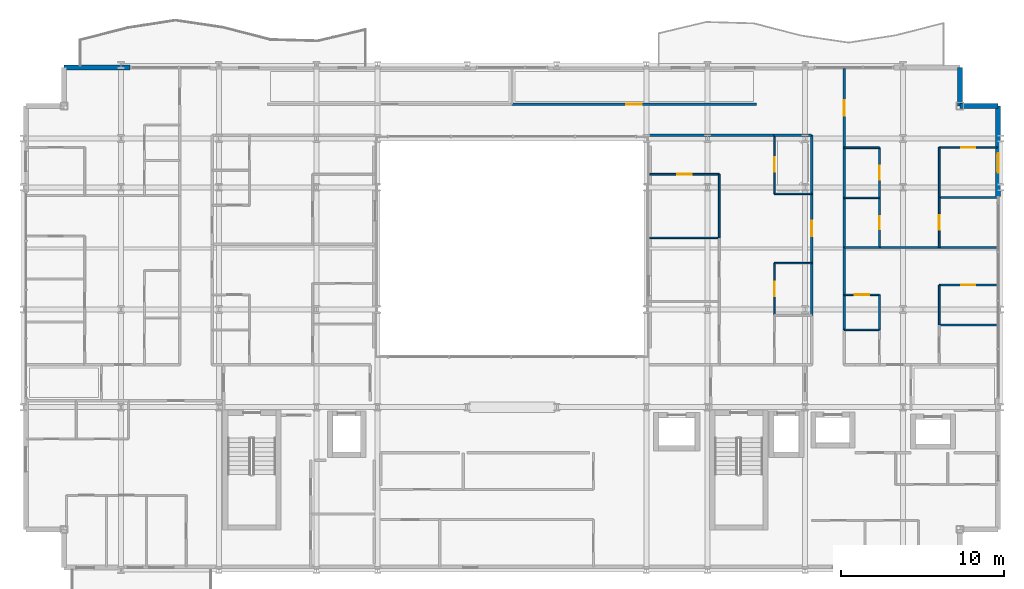
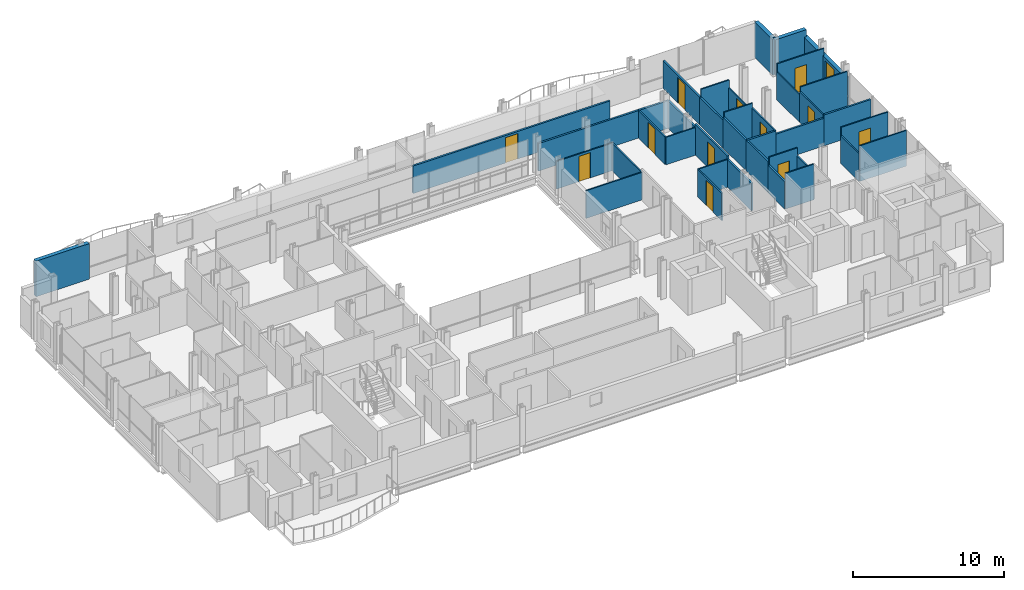
# One storey, part 36 of 41: 39 walls, 12 doors, 1 window, 13 openings.
"""IFC4 building model written with IfcOpenShell, lengths in metres."""

from ifc_helpers import new_model, si_unit, direction, frame, frame_2d, origin, place, context, subcontext, project, spatial, rectangle, extrude, material, layer, layer_set, type_object, element, fill, save


model = new_model("IFC4")

# Units and contexts
model_context = context("Model", 3, precision=1e-05, world=origin(), true_north=direction((0.0, 1.0)))
body_context = subcontext(model_context, "Body", "Model", "MODEL_VIEW")
ifc_project = project(units=[si_unit("LENGTHUNIT", "METRE"), si_unit("AREAUNIT", "SQUARE_METRE"), si_unit("VOLUMEUNIT", "CUBIC_METRE"), si_unit("PLANEANGLEUNIT", "RADIAN"), si_unit("MASSUNIT", "GRAM", prefix="KILO")], contexts=[model_context])

# Site, building, storey
site_placement = place(None, origin())
site = spatial("IfcSite", under=ifc_project, at=site_placement, CompositionType="ELEMENT")
building_placement = place(site_placement, origin())
building = spatial("IfcBuilding", under=site, at=building_placement, Name="Brevholm Reach", CompositionType="ELEMENT")
storey_placement = place(building_placement, frame((0.0, 0.0, 43.5)))
storey = spatial("IfcBuildingStorey", under=building, at=storey_placement, Name="L11", CompositionType="ELEMENT", Elevation=43.5)

# Walls
ifc_material_1 = material(Name="Concrete C40/50", Category="concrete")
ifc_layer_1 = layer(ifc_material_1, 0.300048828125)
ifc_layer_set_1 = layer_set([ifc_layer_1], Name="Concrete C40/50")
wall_type_1 = type_object("IfcWallType", Name="WAL-EXT-300", PredefinedType="STANDARD", material=ifc_layer_set_1)
for number, where, z_axis, x_axis, name in (
    (1, (59.85009765625, 28.5, 0.0), (0.0, 0.0, 1.0), (-1.0, 0.0, 0.0), "L11 Facade Wall WAL-L11-CNE1"),
    (2, (57.5, 28.5, 0.0), (0.0, 0.0, 1.0), (0.0, 1.0, 0.0), "L11 Facade Wall WAL-L11-CNE2"),
):
    element("IfcWall", number, at=place(storey_placement, frame(where, z_axis=z_axis, x_axis=x_axis)), inside=storey, type_object=wall_type_1, Name=name, PredefinedType="STANDARD", context=body_context, shape_type="SweptSolid", body=[
        extrude(rectangle(XDim=2.35009765625, YDim=0.300048828125, at=frame_2d((1.175048828125, 0.0))), origin(), (0.0, 0.0, 1.0), 2.8701171875),
    ])

# Wall, opening, window
wall_1_placement = place(storey_placement, frame((59.85009765625, 22.949951171875, 0.0), z_axis=(0.0, 0.0, 1.0), x_axis=(0.0, 1.0, 0.0)))
wall_1 = element("IfcWall", 3, at=wall_1_placement, inside=storey, type_object=wall_type_1, Name="L11 Facade Wall WAL-L11-E-N", PredefinedType="STANDARD", context=body_context, shape_type="SweptSolid", body=[
    extrude(rectangle(XDim=5.550048828125, YDim=0.300048828125, at=frame_2d((2.77490234375, 0.0))), origin(), (0.0, 0.0, 1.0), 2.305419921875),
])
opening_1_placement = place(wall_1_placement, frame((1.449951171875, 0.0, 0.486083984375)))
opening_1 = element("IfcOpeningElement", 4, at=opening_1_placement, cuts=wall_1, Name="Opening WN-08", PredefinedType="OPENING", context=body_context, shape_type="SweptSolid", body=[
    extrude(rectangle(XDim=1.199951171875, YDim=1.60009765625, at=frame_2d((0.60009765625, 0.800048828125))), frame((0.0, 0.159912109375, 0.0), z_axis=(0.0, -1.0, 0.0), x_axis=(1.0, 0.0, 0.0)), (0.0, 0.0, 1.0), 0.320068359375),
])
ifc_material_2 = material(Name="Dark Anodised Aluminium and Solar-Control IGU Glass", Category="aluminium")
window_type = type_object("IfcWindowType", Name="WIN-RES-1200", PartitioningType="SINGLE_PANEL", PredefinedType="WINDOW", material=ifc_material_2)
window_placement = place(opening_1_placement, origin())
window = element("IfcWindow", 5, at=window_placement, inside=storey, type_object=window_type, Name="L11 Window WIN-L11-EN-1", OverallHeight=1.60009765625, OverallWidth=1.199951171875, PartitioningType="SINGLE_PANEL", PredefinedType="WINDOW", context=body_context, shape_type="SweptSolid", body=[
    extrude(rectangle(XDim=1.199951171875, YDim=1.60009765625, at=frame_2d((0.60009765625, 0.800048828125))), frame((0.0, 0.030029296875, 0.0), z_axis=(0.0, -1.0, 0.0), x_axis=(1.0, 0.0, 0.0)), (0.0, 0.0, 1.0), 0.06005859375),
])
fill(opening_1, window)

# Walls
wall_2_placement = place(storey_placement, frame((2.5, 30.85009765625, 0.0), z_axis=(0.0, 0.0, 1.0), x_axis=(1.0, 0.0, 0.0)))
element("IfcWall", 6, at=wall_2_placement, inside=storey, type_object=wall_type_1, Name="L11 Facade Wall WAL-L11-NP-W0", PredefinedType="STANDARD", context=body_context, shape_type="SweptSolid", body=[
    extrude(rectangle(XDim=4.050048828125, YDim=0.300048828125, at=frame_2d((2.02490234375, 0.0))), origin(), (0.0, 0.0, 1.0), 2.8701171875),
])
ifc_material_3 = material(Name="Moisture-Resistant Acoustic Gypsum Stud Partition 100 mm", Category="gypsum")
ifc_layer_2 = layer(ifc_material_3, 0.10009765625)
ifc_layer_set_2 = layer_set([ifc_layer_2], Name="Moisture-Resistant Acoustic Gypsum Stud Partition 100 mm")
wall_type_2 = type_object("IfcWallType", Name="WAL-PRT-100", PredefinedType="PARTITIONING", material=ifc_layer_set_2)
wall_3_placement = place(storey_placement, frame((46.112060546875, 18.85009765625, 0.0), z_axis=(0.0, 0.0, 1.0), x_axis=(1.0, 0.0, 0.0)))
element("IfcWall", 7, at=wall_3_placement, inside=storey, type_object=wall_type_2, Name="L11 Internal Partition 130", PredefinedType="PARTITIONING", context=body_context, shape_type="SweptSolid", body=[
    extrude(rectangle(XDim=2.283935546875, YDim=0.10009765625, at=frame_2d((1.14208984375, 0.0))), origin(), (0.0, 0.0, 1.0), 2.224853515625),
])

# Wall, opening, door
wall_4_placement = place(storey_placement, frame((46.112060546875, 15.654052734375, 0.0), z_axis=(0.0, 0.0, 1.0), x_axis=(0.0, 1.0, 0.0)))
wall_4 = element("IfcWall", 8, at=wall_4_placement, inside=storey, type_object=wall_type_2, Name="L11 Internal Partition 131", PredefinedType="PARTITIONING", context=body_context, shape_type="SweptSolid", body=[
    extrude(rectangle(XDim=3.196044921875, YDim=0.10009765625, at=frame_2d((1.59814453125, 0.0))), origin(), (0.0, 0.0, 1.0), 2.224853515625),
])
opening_2_placement = place(wall_4_placement, frame((1.157958984375, 0.0, 0.0)))
opening_2 = element("IfcOpeningElement", 9, at=opening_2_placement, cuts=wall_4, Name="Opening ID-01", PredefinedType="OPENING", context=body_context, shape_type="SweptSolid", body=[
    extrude(rectangle(XDim=0.8798828125, YDim=2.0400390625, at=frame_2d((0.43994140625, 1.02001953125))), frame((0.0, 0.06005859375, 0.0), z_axis=(0.0, -1.0, 0.0), x_axis=(1.0, 0.0, 0.0)), (0.0, 0.0, 1.0), 0.1201171875),
])
ifc_material_4 = material(Name="Lacquered Ash Solid-Core Acoustic Internal Door", Category="timber")
door_type_1 = type_object("IfcDoorType", Name="DOR-INT-880", OperationType="NOTDEFINED", PredefinedType="DOOR", material=ifc_material_4)
door_1_placement = place(opening_2_placement, origin())
door_1 = element("IfcDoor", 10, at=door_1_placement, inside=storey, type_object=door_type_1, Name="L11 Internal Door 050", OperationType="SINGLE_SWING_LEFT", OverallHeight=2.0400390625, OverallWidth=0.8798828125, PredefinedType="DOOR", context=body_context, shape_type="SweptSolid", body=[
    extrude(rectangle(XDim=0.8798828125, YDim=2.0400390625, at=frame_2d((0.43994140625, 1.02001953125))), frame((0.0, 0.02490234375, 0.0), z_axis=(0.0, -1.0, 0.0), x_axis=(1.0, 0.0, 0.0)), (0.0, 0.0, 1.0), 0.050048828125),
])
fill(opening_2, door_1)

# Wall
wall_5_placement = place(storey_placement, frame((46.112060546875, 23.10009765625, 0.0), z_axis=(0.0, 0.0, 1.0), x_axis=(1.0, 0.0, 0.0)))
element("IfcWall", 11, at=wall_5_placement, inside=storey, type_object=wall_type_2, Name="L11 Internal Partition 132", PredefinedType="PARTITIONING", context=body_context, shape_type="SweptSolid", body=[
    extrude(rectangle(XDim=2.283935546875, YDim=0.10009765625, at=frame_2d((1.14208984375, 0.0))), origin(), (0.0, 0.0, 1.0), 2.224853515625),
])

# Wall, opening, door
wall_6_placement = place(storey_placement, frame((46.112060546875, 23.10009765625, 0.0), z_axis=(0.0, 0.0, 1.0), x_axis=(0.0, 1.0, 0.0)))
wall_6 = element("IfcWall", 12, at=wall_6_placement, inside=storey, type_object=wall_type_2, Name="L11 Internal Partition 133", PredefinedType="PARTITIONING", context=body_context, shape_type="SweptSolid", body=[
    extrude(rectangle(XDim=3.595947265625, YDim=0.10009765625, at=frame_2d((1.7978515625, 0.0))), origin(), (0.0, 0.0, 1.0), 2.224853515625),
])
opening_3_placement = place(wall_6_placement, frame((1.35791015625, 0.0, 0.0)))
opening_3 = element("IfcOpeningElement", 13, at=opening_3_placement, cuts=wall_6, Name="Opening ID-01", PredefinedType="OPENING", context=body_context, shape_type="SweptSolid", body=[
    extrude(rectangle(XDim=0.8798828125, YDim=2.0400390625, at=frame_2d((0.43994140625, 1.02001953125))), frame((0.0, 0.06005859375, 0.0), z_axis=(0.0, -1.0, 0.0), x_axis=(1.0, 0.0, 0.0)), (0.0, 0.0, 1.0), 0.1201171875),
])
door_2_placement = place(opening_3_placement, origin())
door_2 = element("IfcDoor", 14, at=door_2_placement, inside=storey, type_object=door_type_1, Name="L11 Internal Door 051", OperationType="SINGLE_SWING_RIGHT", OverallHeight=2.0400390625, OverallWidth=0.8798828125, PredefinedType="DOOR", context=body_context, shape_type="SweptSolid", body=[
    extrude(rectangle(XDim=0.8798828125, YDim=2.0400390625, at=frame_2d((0.43994140625, 1.02001953125))), frame((0.0, 0.02490234375, 0.0), z_axis=(0.0, -1.0, 0.0), x_axis=(1.0, 0.0, 0.0)), (0.0, 0.0, 1.0), 0.050048828125),
])
fill(opening_3, door_2)

# Walls
wall_7_placement = place(storey_placement, frame((38.449951171875, 20.39990234375, 0.0), z_axis=(0.0, 0.0, 1.0), x_axis=(1.0, 0.0, 0.0)))
element("IfcWall", 15, at=wall_7_placement, inside=storey, type_object=wall_type_2, Name="L11 Internal Partition 136", PredefinedType="PARTITIONING", context=body_context, shape_type="SweptSolid", body=[
    extrude(rectangle(XDim=4.278076171875, YDim=0.10009765625, at=frame_2d((2.13916015625, 0.0))), origin(), (0.0, 0.0, 1.0), 2.224853515625),
])
wall_8_placement = place(storey_placement, frame((42.72802734375, 20.404052734375, 0.0), z_axis=(0.0, 0.0, 1.0), x_axis=(0.0, 1.0, 0.0)))
element("IfcWall", 16, at=wall_8_placement, inside=storey, type_object=wall_type_2, Name="L11 Internal Partition 138", PredefinedType="PARTITIONING", context=body_context, shape_type="SweptSolid", body=[
    extrude(rectangle(XDim=3.89599609375, YDim=0.10009765625, at=frame_2d((1.947998046875, 0.0))), origin(), (0.0, 0.0, 1.0), 2.224853515625),
])

# Wall, opening, door
wall_9_placement = place(storey_placement, frame((38.449951171875, 24.300048828125, 0.0), z_axis=(0.0, 0.0, 1.0), x_axis=(1.0, 0.0, 0.0)))
wall_9 = element("IfcWall", 17, at=wall_9_placement, inside=storey, type_object=wall_type_2, Name="L11 Internal Partition 139", PredefinedType="PARTITIONING", context=body_context, shape_type="SweptSolid", body=[
    extrude(rectangle(XDim=4.278076171875, YDim=0.10009765625, at=frame_2d((2.13916015625, 0.0))), origin(), (0.0, 0.0, 1.0), 2.224853515625),
])
opening_4_placement = place(wall_9_placement, frame((1.698974609375, 0.0, 0.0)))
opening_4 = element("IfcOpeningElement", 18, at=opening_4_placement, cuts=wall_9, Name="Opening ID-01", PredefinedType="OPENING", context=body_context, shape_type="SweptSolid", body=[
    extrude(rectangle(XDim=0.8798828125, YDim=2.0400390625, at=frame_2d((0.43994140625, 1.02001953125))), frame((0.0, 0.06005859375, 0.0), z_axis=(0.0, -1.0, 0.0), x_axis=(1.0, 0.0, 0.0)), (0.0, 0.0, 1.0), 0.1201171875),
])
door_3_placement = place(opening_4_placement, origin())
door_3 = element("IfcDoor", 19, at=door_3_placement, inside=storey, type_object=door_type_1, Name="L11 Internal Door 054", OperationType="SINGLE_SWING_LEFT", OverallHeight=2.0400390625, OverallWidth=0.8798828125, PredefinedType="DOOR", context=body_context, shape_type="SweptSolid", body=[
    extrude(rectangle(XDim=0.8798828125, YDim=2.0400390625, at=frame_2d((0.43994140625, 1.02001953125))), frame((0.0, 0.02490234375, 0.0), z_axis=(0.0, -1.0, 0.0), x_axis=(1.0, 0.0, 0.0)), (0.0, 0.0, 1.0), 0.050048828125),
])
fill(opening_4, door_3)

# Walls
wall_10_placement = place(storey_placement, frame((50.404052734375, 14.75, 0.0), z_axis=(0.0, 0.0, 1.0), x_axis=(1.0, 0.0, 0.0)))
element("IfcWall", 20, at=wall_10_placement, inside=storey, type_object=wall_type_2, Name="L11 Internal Partition 140", PredefinedType="PARTITIONING", context=body_context, shape_type="SweptSolid", body=[
    extrude(rectangle(XDim=2.157958984375, YDim=0.10009765625, at=frame_2d((1.0791015625, 0.0))), origin(), (0.0, 0.0, 1.0), 2.8701171875),
])
wall_11_placement = place(storey_placement, frame((52.56201171875, 14.75390625, 0.0), z_axis=(0.0, 0.0, 1.0), x_axis=(0.0, 1.0, 0.0)))
element("IfcWall", 21, at=wall_11_placement, inside=storey, type_object=wall_type_2, Name="L11 Internal Partition 142", PredefinedType="PARTITIONING", context=body_context, shape_type="SweptSolid", body=[
    extrude(rectangle(XDim=2.14599609375, YDim=0.10009765625, at=frame_2d((1.072998046875, 0.0))), origin(), (0.0, 0.0, 1.0), 2.224853515625),
])

# Wall, opening, door
wall_12_placement = place(storey_placement, frame((50.404052734375, 16.89990234375, 0.0), z_axis=(0.0, 0.0, 1.0), x_axis=(1.0, 0.0, 0.0)))
wall_12 = element("IfcWall", 22, at=wall_12_placement, inside=storey, type_object=wall_type_2, Name="L11 Internal Partition 143", PredefinedType="PARTITIONING", context=body_context, shape_type="SweptSolid", body=[
    extrude(rectangle(XDim=2.157958984375, YDim=0.10009765625, at=frame_2d((1.0791015625, 0.0))), origin(), (0.0, 0.0, 1.0), 2.8701171875),
])
opening_5_placement = place(wall_12_placement, frame((0.638916015625, 0.0, 0.0)))
opening_5 = element("IfcOpeningElement", 23, at=opening_5_placement, cuts=wall_12, Name="Opening ID-01", PredefinedType="OPENING", context=body_context, shape_type="SweptSolid", body=[
    extrude(rectangle(XDim=0.8798828125, YDim=2.0400390625, at=frame_2d((0.43994140625, 1.02001953125))), frame((0.0, 0.06005859375, 0.0), z_axis=(0.0, -1.0, 0.0), x_axis=(1.0, 0.0, 0.0)), (0.0, 0.0, 1.0), 0.1201171875),
])
door_4_placement = place(opening_5_placement, origin())
door_4 = element("IfcDoor", 24, at=door_4_placement, inside=storey, type_object=door_type_1, Name="L11 Internal Door 056", OperationType="SINGLE_SWING_LEFT", OverallHeight=2.0400390625, OverallWidth=0.8798828125, PredefinedType="DOOR", context=body_context, shape_type="SweptSolid", body=[
    extrude(rectangle(XDim=0.8798828125, YDim=2.0400390625, at=frame_2d((0.43994140625, 1.02001953125))), frame((0.0, 0.02490234375, 0.0), z_axis=(0.0, -1.0, 0.0), x_axis=(1.0, 0.0, 0.0)), (0.0, 0.0, 1.0), 0.050048828125),
])
fill(opening_5, door_4)

# Wall
wall_13_placement = place(storey_placement, frame((56.22802734375, 15.050048828125, 0.0), z_axis=(0.0, 0.0, 1.0), x_axis=(1.0, 0.0, 0.0)))
element("IfcWall", 25, at=wall_13_placement, inside=storey, type_object=wall_type_2, Name="L11 Internal Partition 144", PredefinedType="PARTITIONING", context=body_context, shape_type="SweptSolid", body=[
    extrude(rectangle(XDim=3.572021484375, YDim=0.10009765625, at=frame_2d((1.7861328125, 0.0))), origin(), (0.0, 0.0, 1.0), 2.8701171875),
])

# Wall, opening, door
wall_14_placement = place(storey_placement, frame((56.22802734375, 17.5, 0.0), z_axis=(0.0, 0.0, 1.0), x_axis=(1.0, 0.0, 0.0)))
wall_14 = element("IfcWall", 26, at=wall_14_placement, inside=storey, type_object=wall_type_2, Name="L11 Internal Partition 146", PredefinedType="PARTITIONING", context=body_context, shape_type="SweptSolid", body=[
    extrude(rectangle(XDim=3.572021484375, YDim=0.10009765625, at=frame_2d((1.7861328125, 0.0))), origin(), (0.0, 0.0, 1.0), 2.8701171875),
])
opening_6_placement = place(wall_14_placement, frame((1.345947265625, 0.0, 0.0)))
opening_6 = element("IfcOpeningElement", 27, at=opening_6_placement, cuts=wall_14, Name="Opening ID-01", PredefinedType="OPENING", context=body_context, shape_type="SweptSolid", body=[
    extrude(rectangle(XDim=0.8798828125, YDim=2.0400390625, at=frame_2d((0.43994140625, 1.02001953125))), frame((0.0, 0.06005859375, 0.0), z_axis=(0.0, -1.0, 0.0), x_axis=(1.0, 0.0, 0.0)), (0.0, 0.0, 1.0), 0.1201171875),
])
door_5_placement = place(opening_6_placement, origin())
door_5 = element("IfcDoor", 28, at=door_5_placement, inside=storey, type_object=door_type_1, Name="L11 Internal Door 058", OperationType="SINGLE_SWING_LEFT", OverallHeight=2.0400390625, OverallWidth=0.8798828125, PredefinedType="DOOR", context=body_context, shape_type="SweptSolid", body=[
    extrude(rectangle(XDim=0.8798828125, YDim=2.0400390625, at=frame_2d((0.43994140625, 1.02001953125))), frame((0.0, 0.02490234375, 0.0), z_axis=(0.0, -1.0, 0.0), x_axis=(1.0, 0.0, 0.0)), (0.0, 0.0, 1.0), 0.050048828125),
])
fill(opening_6, door_5)

# Walls
wall_15_placement = place(storey_placement, frame((56.22802734375, 15.053955078125, 0.0), z_axis=(0.0, 0.0, 1.0), x_axis=(0.0, 1.0, 0.0)))
element("IfcWall", 29, at=wall_15_placement, inside=storey, type_object=wall_type_2, Name="L11 Internal Partition 147", PredefinedType="PARTITIONING", context=body_context, shape_type="SweptSolid", body=[
    extrude(rectangle(XDim=2.446044921875, YDim=0.10009765625, at=frame_2d((1.22314453125, 0.0))), origin(), (0.0, 0.0, 1.0), 2.224853515625),
])
wall_16_placement = place(storey_placement, frame((50.404052734375, 22.85009765625, 0.0), z_axis=(0.0, 0.0, 1.0), x_axis=(1.0, 0.0, 0.0)))
element("IfcWall", 30, at=wall_16_placement, inside=storey, type_object=wall_type_2, Name="L11 Internal Partition 151", PredefinedType="PARTITIONING", context=body_context, shape_type="SweptSolid", body=[
    extrude(rectangle(XDim=2.157958984375, YDim=0.10009765625, at=frame_2d((1.0791015625, 0.0))), origin(), (0.0, 0.0, 1.0), 2.8701171875),
])

# Wall, opening, door
wall_17_placement = place(storey_placement, frame((52.56201171875, 19.803955078125, 0.0), z_axis=(0.0, 0.0, 1.0), x_axis=(0.0, 1.0, 0.0)))
wall_17 = element("IfcWall", 31, at=wall_17_placement, inside=storey, type_object=wall_type_2, Name="L11 Internal Partition 152", PredefinedType="PARTITIONING", context=body_context, shape_type="SweptSolid", body=[
    extrude(rectangle(XDim=3.046142578125, YDim=0.10009765625, at=frame_2d((1.52294921875, 0.0))), origin(), (0.0, 0.0, 1.0), 2.489990234375),
])
opening_7_placement = place(wall_17_placement, frame((1.113037109375, 0.0, 0.0)))
opening_7 = element("IfcOpeningElement", 32, at=opening_7_placement, cuts=wall_17, Name="Opening ID-03", PredefinedType="OPENING", context=body_context, shape_type="SweptSolid", body=[
    extrude(rectangle(XDim=0.820068359375, YDim=2.02001953125, at=frame_2d((0.41015625, 1.010009765625))), frame((0.0, 0.06005859375, 0.0), z_axis=(0.0, -1.0, 0.0), x_axis=(1.0, 0.0, 0.0)), (0.0, 0.0, 1.0), 0.1201171875),
])
ifc_material_5 = material(Name="Moisture-Resistant Painted Timber Internal Bathroom Door", Category="wood")
door_type_2 = type_object("IfcDoorType", Name="DOR-BATH-820", OperationType="NOTDEFINED", PredefinedType="DOOR", material=ifc_material_5)
door_6_placement = place(opening_7_placement, origin())
door_6 = element("IfcDoor", 33, at=door_6_placement, inside=storey, type_object=door_type_2, Name="L11 Internal Door 059", OperationType="SINGLE_SWING_RIGHT", OverallHeight=2.02001953125, OverallWidth=0.820068359375, PredefinedType="DOOR", context=body_context, shape_type="SweptSolid", body=[
    extrude(rectangle(XDim=0.820068359375, YDim=2.02001953125, at=frame_2d((0.41015625, 1.010009765625))), frame((0.0, 0.02490234375, 0.0), z_axis=(0.0, -1.0, 0.0), x_axis=(1.0, 0.0, 0.0)), (0.0, 0.0, 1.0), 0.050048828125),
])
fill(opening_7, door_6)

wall_18_placement = place(storey_placement, frame((52.56201171875, 22.85400390625, 0.0), z_axis=(0.0, 0.0, 1.0), x_axis=(0.0, 1.0, 0.0)))
wall_18 = element("IfcWall", 34, at=wall_18_placement, inside=storey, type_object=wall_type_2, Name="L11 Internal Partition 153", PredefinedType="PARTITIONING", context=body_context, shape_type="SweptSolid", body=[
    extrude(rectangle(XDim=3.075927734375, YDim=0.10009765625, at=frame_2d((1.5380859375, 0.0))), origin(), (0.0, 0.0, 1.0), 2.224853515625),
])
opening_8_placement = place(wall_18_placement, frame((1.097900390625, 0.0, 0.0)))
opening_8 = element("IfcOpeningElement", 35, at=opening_8_placement, cuts=wall_18, Name="Opening ID-01", PredefinedType="OPENING", context=body_context, shape_type="SweptSolid", body=[
    extrude(rectangle(XDim=0.8798828125, YDim=2.0400390625, at=frame_2d((0.43994140625, 1.02001953125))), frame((0.0, 0.06005859375, 0.0), z_axis=(0.0, -1.0, 0.0), x_axis=(1.0, 0.0, 0.0)), (0.0, 0.0, 1.0), 0.1201171875),
])
door_7_placement = place(opening_8_placement, origin())
door_7 = element("IfcDoor", 36, at=door_7_placement, inside=storey, type_object=door_type_1, Name="L11 Internal Door 060", OperationType="SINGLE_SWING_LEFT", OverallHeight=2.0400390625, OverallWidth=0.8798828125, PredefinedType="DOOR", context=body_context, shape_type="SweptSolid", body=[
    extrude(rectangle(XDim=0.8798828125, YDim=2.0400390625, at=frame_2d((0.43994140625, 1.02001953125))), frame((0.0, 0.02490234375, 0.0), z_axis=(0.0, -1.0, 0.0), x_axis=(1.0, 0.0, 0.0)), (0.0, 0.0, 1.0), 0.050048828125),
])
fill(opening_8, door_7)

# Walls
wall_19_placement = place(storey_placement, frame((50.404052734375, 25.929931640625, 0.0), z_axis=(0.0, 0.0, 1.0), x_axis=(1.0, 0.0, 0.0)))
element("IfcWall", 37, at=wall_19_placement, inside=storey, type_object=wall_type_2, Name="L11 Internal Partition 154", PredefinedType="PARTITIONING", context=body_context, shape_type="SweptSolid", body=[
    extrude(rectangle(XDim=2.157958984375, YDim=0.10009765625, at=frame_2d((1.0791015625, 0.0))), origin(), (0.0, 0.0, 1.0), 2.8701171875),
])
wall_20_placement = place(storey_placement, frame((56.22802734375, 22.875, 0.0), z_axis=(0.0, 0.0, 1.0), x_axis=(1.0, 0.0, 0.0)))
element("IfcWall", 38, at=wall_20_placement, inside=storey, type_object=wall_type_2, Name="L11 Internal Partition 155", PredefinedType="PARTITIONING", context=body_context, shape_type="SweptSolid", body=[
    extrude(rectangle(XDim=3.572021484375, YDim=0.10009765625, at=frame_2d((1.7861328125, 0.0))), origin(), (0.0, 0.0, 1.0), 2.8701171875),
])

# Wall, opening, door
wall_21_placement = place(storey_placement, frame((56.22802734375, 19.803955078125, 0.0), z_axis=(0.0, 0.0, 1.0), x_axis=(0.0, 1.0, 0.0)))
wall_21 = element("IfcWall", 39, at=wall_21_placement, inside=storey, type_object=wall_type_2, Name="L11 Internal Partition 156", PredefinedType="PARTITIONING", context=body_context, shape_type="SweptSolid", body=[
    extrude(rectangle(XDim=3.071044921875, YDim=0.10009765625, at=frame_2d((1.53564453125, 0.0))), origin(), (0.0, 0.0, 1.0), 2.489990234375),
])
opening_9_placement = place(wall_21_placement, frame((1.095458984375, 0.0, 0.0)))
opening_9 = element("IfcOpeningElement", 40, at=opening_9_placement, cuts=wall_21, Name="Opening ID-01", PredefinedType="OPENING", context=body_context, shape_type="SweptSolid", body=[
    extrude(rectangle(XDim=0.8798828125, YDim=2.0400390625, at=frame_2d((0.43994140625, 1.02001953125))), frame((0.0, 0.06005859375, 0.0), z_axis=(0.0, -1.0, 0.0), x_axis=(1.0, 0.0, 0.0)), (0.0, 0.0, 1.0), 0.1201171875),
])
door_8_placement = place(opening_9_placement, origin())
door_8 = element("IfcDoor", 41, at=door_8_placement, inside=storey, type_object=door_type_1, Name="L11 Internal Door 061", OperationType="SINGLE_SWING_RIGHT", OverallHeight=2.0400390625, OverallWidth=0.8798828125, PredefinedType="DOOR", context=body_context, shape_type="SweptSolid", body=[
    extrude(rectangle(XDim=0.8798828125, YDim=2.0400390625, at=frame_2d((0.43994140625, 1.02001953125))), frame((0.0, 0.02490234375, 0.0), z_axis=(0.0, -1.0, 0.0), x_axis=(1.0, 0.0, 0.0)), (0.0, 0.0, 1.0), 0.050048828125),
])
fill(opening_9, door_8)

wall_22_placement = place(storey_placement, frame((56.22802734375, 25.949951171875, 0.0), z_axis=(0.0, 0.0, 1.0), x_axis=(1.0, 0.0, 0.0)))
wall_22 = element("IfcWall", 42, at=wall_22_placement, inside=storey, type_object=wall_type_2, Name="L11 Internal Partition 157", PredefinedType="PARTITIONING", context=body_context, shape_type="SweptSolid", body=[
    extrude(rectangle(XDim=3.572021484375, YDim=0.10009765625, at=frame_2d((1.7861328125, 0.0))), origin(), (0.0, 0.0, 1.0), 2.8701171875),
])
opening_10_placement = place(wall_22_placement, frame((1.345947265625, 0.0, 0.0)))
opening_10 = element("IfcOpeningElement", 43, at=opening_10_placement, cuts=wall_22, Name="Opening ID-01", PredefinedType="OPENING", context=body_context, shape_type="SweptSolid", body=[
    extrude(rectangle(XDim=0.8798828125, YDim=2.0400390625, at=frame_2d((0.43994140625, 1.02001953125))), frame((0.0, 0.06005859375, 0.0), z_axis=(0.0, -1.0, 0.0), x_axis=(1.0, 0.0, 0.0)), (0.0, 0.0, 1.0), 0.1201171875),
])
door_9_placement = place(opening_10_placement, origin())
door_9 = element("IfcDoor", 44, at=door_9_placement, inside=storey, type_object=door_type_1, Name="L11 Internal Door 062", OperationType="SINGLE_SWING_LEFT", OverallHeight=2.0400390625, OverallWidth=0.8798828125, PredefinedType="DOOR", context=body_context, shape_type="SweptSolid", body=[
    extrude(rectangle(XDim=0.8798828125, YDim=2.0400390625, at=frame_2d((0.43994140625, 1.02001953125))), frame((0.0, 0.02490234375, 0.0), z_axis=(0.0, -1.0, 0.0), x_axis=(1.0, 0.0, 0.0)), (0.0, 0.0, 1.0), 0.050048828125),
])
fill(opening_10, door_9)

# Walls
wall_23_placement = place(storey_placement, frame((56.22802734375, 22.87890625, 0.0), z_axis=(0.0, 0.0, 1.0), x_axis=(0.0, 1.0, 0.0)))
element("IfcWall", 45, at=wall_23_placement, inside=storey, type_object=wall_type_2, Name="L11 Internal Partition 158", PredefinedType="PARTITIONING", context=body_context, shape_type="SweptSolid", body=[
    extrude(rectangle(XDim=3.071044921875, YDim=0.10009765625, at=frame_2d((1.53564453125, 0.0))), origin(), (0.0, 0.0, 1.0), 2.224853515625),
])
ifc_material_6 = material(Name="Twin-Stud Acoustic Fire-Rated Gypsum Partition 140 mm", Category="gypsum")
ifc_layer_3 = layer(ifc_material_6, 0.139892578125)
ifc_layer_set_3 = layer_set([ifc_layer_3], Name="Twin-Stud Acoustic Fire-Rated Gypsum Partition 140 mm")
wall_type_3 = type_object("IfcWallType", Name="WAL-PRT-140", PredefinedType="PARTITIONING", material=ifc_layer_set_3)
wall_24_placement = place(storey_placement, frame((48.39990234375, 15.642578125, 0.0), z_axis=(0.0, 0.0, 1.0), x_axis=(0.0, 1.0, 0.0)))
element("IfcWall", 46, at=wall_24_placement, inside=storey, type_object=wall_type_3, Name="L11 Internal Partition 051", PredefinedType="PARTITIONING", context=body_context, shape_type="SweptSolid", body=[
    extrude(rectangle(XDim=3.21875, YDim=0.139892578125, at=frame_2d((1.609375, 0.0))), origin(), (0.0, 0.0, 1.0), 2.224853515625),
])
wall_25_placement = place(storey_placement, frame((48.39990234375, 23.088623046875, 0.0), z_axis=(0.0, 0.0, 1.0), x_axis=(0.0, 1.0, 0.0)))
element("IfcWall", 47, at=wall_25_placement, inside=storey, type_object=wall_type_3, Name="L11 Internal Partition 052", PredefinedType="PARTITIONING", context=body_context, shape_type="SweptSolid", body=[
    extrude(rectangle(XDim=3.61865234375, YDim=0.139892578125, at=frame_2d((1.809326171875, 0.0))), origin(), (0.0, 0.0, 1.0), 2.224853515625),
])

# Wall, opening, door
wall_26_placement = place(storey_placement, frame((48.39990234375, 18.8427734375, 0.0), z_axis=(0.0, 0.0, 1.0), x_axis=(0.0, 1.0, 0.0)))
wall_26 = element("IfcWall", 48, at=wall_26_placement, inside=storey, type_object=wall_type_3, Name="L11 Internal Partition 053", PredefinedType="PARTITIONING", context=body_context, shape_type="SweptSolid", body=[
    extrude(rectangle(XDim=4.2646484375, YDim=0.139892578125, at=frame_2d((2.13232421875, 0.0))), origin(), (0.0, 0.0, 1.0), 2.489990234375),
])
opening_11_placement = place(wall_26_placement, frame((1.6572265625, 0.0, 0.0)))
opening_11 = element("IfcOpeningElement", 49, at=opening_11_placement, cuts=wall_26, Name="Opening ID-30", PredefinedType="OPENING", context=body_context, shape_type="SweptSolid", body=[
    extrude(rectangle(XDim=0.949951171875, YDim=2.050048828125, at=frame_2d((0.47509765625, 1.02490234375))), frame((0.0, 0.079833984375, 0.0), z_axis=(0.0, -1.0, 0.0), x_axis=(1.0, 0.0, 0.0)), (0.0, 0.0, 1.0), 0.159912109375),
])
ifc_material_7 = material(Name="European Oak Veneered Solid-Core Fire Entrance Door", Category="timber")
door_type_3 = type_object("IfcDoorType", Name="DOR-FLT-FD30S", OperationType="NOTDEFINED", PredefinedType="DOOR", material=ifc_material_7)
door_10_placement = place(opening_11_placement, origin())
door_10 = element("IfcDoor", 50, at=door_10_placement, inside=storey, type_object=door_type_3, Name="L11 Internal Door 021", OperationType="SINGLE_SWING_RIGHT", OverallHeight=2.050048828125, OverallWidth=0.949951171875, PredefinedType="DOOR", context=body_context, shape_type="SweptSolid", body=[
    extrude(rectangle(XDim=0.949951171875, YDim=2.050048828125, at=frame_2d((0.47509765625, 1.02490234375))), frame((0.0, 0.02490234375, 0.0), z_axis=(0.0, -1.0, 0.0), x_axis=(1.0, 0.0, 0.0)), (0.0, 0.0, 1.0), 0.050048828125),
])
fill(opening_11, door_10)

# Walls
wall_27_placement = place(storey_placement, frame((50.39990234375, 14.74267578125, 0.0), z_axis=(0.0, 0.0, 1.0), x_axis=(0.0, 1.0, 0.0)))
element("IfcWall", 51, at=wall_27_placement, inside=storey, type_object=wall_type_3, Name="L11 Internal Partition 055", PredefinedType="PARTITIONING", context=body_context, shape_type="SweptSolid", body=[
    extrude(rectangle(XDim=2.168701171875, YDim=0.139892578125, at=frame_2d((1.08447265625, 0.0))), origin(), (0.0, 0.0, 1.0), 2.224853515625),
])
wall_28_placement = place(storey_placement, frame((50.39990234375, 16.892578125, 0.0), z_axis=(0.0, 0.0, 1.0), x_axis=(0.0, 1.0, 0.0)))
element("IfcWall", 52, at=wall_28_placement, inside=storey, type_object=wall_type_3, Name="L11 Internal Partition 056", PredefinedType="PARTITIONING", context=body_context, shape_type="SweptSolid", body=[
    extrude(rectangle(XDim=2.918701171875, YDim=0.139892578125, at=frame_2d((1.45947265625, 0.0))), origin(), (0.0, 0.0, 1.0), 2.489990234375),
])
wall_29_placement = place(storey_placement, frame((50.39990234375, 19.792724609375, 0.0), z_axis=(0.0, 0.0, 1.0), x_axis=(0.0, 1.0, 0.0)))
element("IfcWall", 53, at=wall_29_placement, inside=storey, type_object=wall_type_3, Name="L11 Internal Partition 057", PredefinedType="PARTITIONING", context=body_context, shape_type="SweptSolid", body=[
    extrude(rectangle(XDim=3.068603515625, YDim=0.139892578125, at=frame_2d((1.5341796875, 0.0))), origin(), (0.0, 0.0, 1.0), 2.489990234375),
])
wall_30_placement = place(storey_placement, frame((50.39990234375, 22.8427734375, 0.0), z_axis=(0.0, 0.0, 1.0), x_axis=(0.0, 1.0, 0.0)))
element("IfcWall", 54, at=wall_30_placement, inside=storey, type_object=wall_type_3, Name="L11 Internal Partition 058", PredefinedType="PARTITIONING", context=body_context, shape_type="SweptSolid", body=[
    extrude(rectangle(XDim=3.0986328125, YDim=0.139892578125, at=frame_2d((1.54931640625, 0.0))), origin(), (0.0, 0.0, 1.0), 2.224853515625),
])

# Wall, opening, door
wall_31_placement = place(storey_placement, frame((50.39990234375, 25.922607421875, 0.0), z_axis=(0.0, 0.0, 1.0), x_axis=(0.0, 1.0, 0.0)))
wall_31 = element("IfcWall", 55, at=wall_31_placement, inside=storey, type_object=wall_type_3, Name="L11 Internal Partition 059", PredefinedType="PARTITIONING", context=body_context, shape_type="SweptSolid", body=[
    extrude(rectangle(XDim=4.87744140625, YDim=0.139892578125, at=frame_2d((2.438720703125, 0.0))), origin(), (0.0, 0.0, 1.0), 2.224853515625),
])
opening_12_placement = place(wall_31_placement, frame((1.963623046875, 0.0, 0.0)))
opening_12 = element("IfcOpeningElement", 56, at=opening_12_placement, cuts=wall_31, Name="Opening ID-30", PredefinedType="OPENING", context=body_context, shape_type="SweptSolid", body=[
    extrude(rectangle(XDim=0.949951171875, YDim=2.050048828125, at=frame_2d((0.47509765625, 1.02490234375))), frame((0.0, 0.079833984375, 0.0), z_axis=(0.0, -1.0, 0.0), x_axis=(1.0, 0.0, 0.0)), (0.0, 0.0, 1.0), 0.159912109375),
])
door_11_placement = place(opening_12_placement, origin())
door_11 = element("IfcDoor", 57, at=door_11_placement, inside=storey, type_object=door_type_3, Name="L11 Internal Door 022", OperationType="SINGLE_SWING_LEFT", OverallHeight=2.050048828125, OverallWidth=0.949951171875, PredefinedType="DOOR", context=body_context, shape_type="SweptSolid", body=[
    extrude(rectangle(XDim=0.949951171875, YDim=2.050048828125, at=frame_2d((0.47509765625, 1.02490234375))), frame((0.0, 0.02490234375, 0.0), z_axis=(0.0, -1.0, 0.0), x_axis=(1.0, 0.0, 0.0)), (0.0, 0.0, 1.0), 0.050048828125),
])
fill(opening_12, door_11)

# Walls
wall_32_placement = place(storey_placement, frame((46.1005859375, 26.699951171875, 0.0), z_axis=(0.0, 0.0, 1.0), x_axis=(1.0, 0.0, 0.0)))
element("IfcWall", 58, at=wall_32_placement, inside=storey, type_object=wall_type_3, Name="L11 Internal Partition 062", PredefinedType="PARTITIONING", context=body_context, shape_type="SweptSolid", body=[
    extrude(rectangle(XDim=2.29541015625, YDim=0.139892578125, at=frame_2d((1.147705078125, 0.0))), origin(), (0.0, 0.0, 1.0), 2.224853515625),
])
wall_33_placement = place(storey_placement, frame((38.438720703125, 26.699951171875, 0.0), z_axis=(0.0, 0.0, 1.0), x_axis=(1.0, 0.0, 0.0)))
element("IfcWall", 59, at=wall_33_placement, inside=storey, type_object=wall_type_3, Name="L11 Internal Partition 063", PredefinedType="PARTITIONING", context=body_context, shape_type="SweptSolid", body=[
    extrude(rectangle(XDim=7.6806640625, YDim=0.139892578125, at=frame_2d((3.84033203125, 0.0))), origin(), (0.0, 0.0, 1.0), 2.224853515625),
])

# Wall, opening, door
wall_34_placement = place(storey_placement, frame((29.99267578125, 28.60009765625, 0.0), z_axis=(0.0, 0.0, 1.0), x_axis=(1.0, 0.0, 0.0)))
wall_34 = element("IfcWall", 60, at=wall_34_placement, inside=storey, type_object=wall_type_3, Name="L11 Internal Partition 065", PredefinedType="PARTITIONING", context=body_context, shape_type="SweptSolid", body=[
    extrude(rectangle(XDim=15.0185546875, YDim=0.139892578125, at=frame_2d((7.50927734375, 0.0))), origin(), (0.0, 0.0, 1.0), 2.224853515625),
])
opening_13_placement = place(wall_34_placement, frame((7.0341796875, 0.0, 0.0)))
opening_13 = element("IfcOpeningElement", 61, at=opening_13_placement, cuts=wall_34, Name="Opening ID-30", PredefinedType="OPENING", context=body_context, shape_type="SweptSolid", body=[
    extrude(rectangle(XDim=0.949951171875, YDim=2.050048828125, at=frame_2d((0.47509765625, 1.02490234375))), frame((0.0, 0.079833984375, 0.0), z_axis=(0.0, -1.0, 0.0), x_axis=(1.0, 0.0, 0.0)), (0.0, 0.0, 1.0), 0.159912109375),
])
door_12_placement = place(opening_13_placement, origin())
door_12 = element("IfcDoor", 62, at=door_12_placement, inside=storey, type_object=door_type_3, Name="L11 Internal Door 024", OperationType="SINGLE_SWING_LEFT", OverallHeight=2.050048828125, OverallWidth=0.949951171875, PredefinedType="DOOR", context=body_context, shape_type="SweptSolid", body=[
    extrude(rectangle(XDim=0.949951171875, YDim=2.050048828125, at=frame_2d((0.47509765625, 1.02490234375))), frame((0.0, 0.02490234375, 0.0), z_axis=(0.0, -1.0, 0.0), x_axis=(1.0, 0.0, 0.0)), (0.0, 0.0, 1.0), 0.050048828125),
])
fill(opening_13, door_12)

# Walls
wall_35_placement = place(storey_placement, frame((50.404052734375, 19.800048828125, 0.0), z_axis=(0.0, 0.0, 1.0), x_axis=(1.0, 0.0, 0.0)))
element("IfcWall", 63, at=wall_35_placement, inside=storey, type_object=wall_type_3, Name="L11 Internal Partition 148", PredefinedType="PARTITIONING", context=body_context, shape_type="SweptSolid", body=[
    extrude(rectangle(XDim=2.169189453125, YDim=0.139892578125, at=frame_2d((1.08447265625, 0.0))), origin(), (0.0, 0.0, 1.0), 2.489990234375),
])
wall_36_placement = place(storey_placement, frame((56.216796875, 19.800048828125, 0.0), z_axis=(0.0, 0.0, 1.0), x_axis=(1.0, 0.0, 0.0)))
element("IfcWall", 64, at=wall_36_placement, inside=storey, type_object=wall_type_3, Name="L11 Internal Partition 149", PredefinedType="PARTITIONING", context=body_context, shape_type="SweptSolid", body=[
    extrude(rectangle(XDim=3.583251953125, YDim=0.139892578125, at=frame_2d((1.79150390625, 0.0))), origin(), (0.0, 0.0, 1.0), 2.489990234375),
])
wall_37_placement = place(storey_placement, frame((52.5546875, 19.800048828125, 0.0), z_axis=(0.0, 0.0, 1.0), x_axis=(1.0, 0.0, 0.0)))
element("IfcWall", 65, at=wall_37_placement, inside=storey, type_object=wall_type_3, Name="L11 Internal Partition 150", PredefinedType="PARTITIONING", context=body_context, shape_type="SweptSolid", body=[
    extrude(rectangle(XDim=3.6806640625, YDim=0.139892578125, at=frame_2d((1.84033203125, 0.0))), origin(), (0.0, 0.0, 1.0), 2.224853515625),
])

save(model, "model.ifc")
